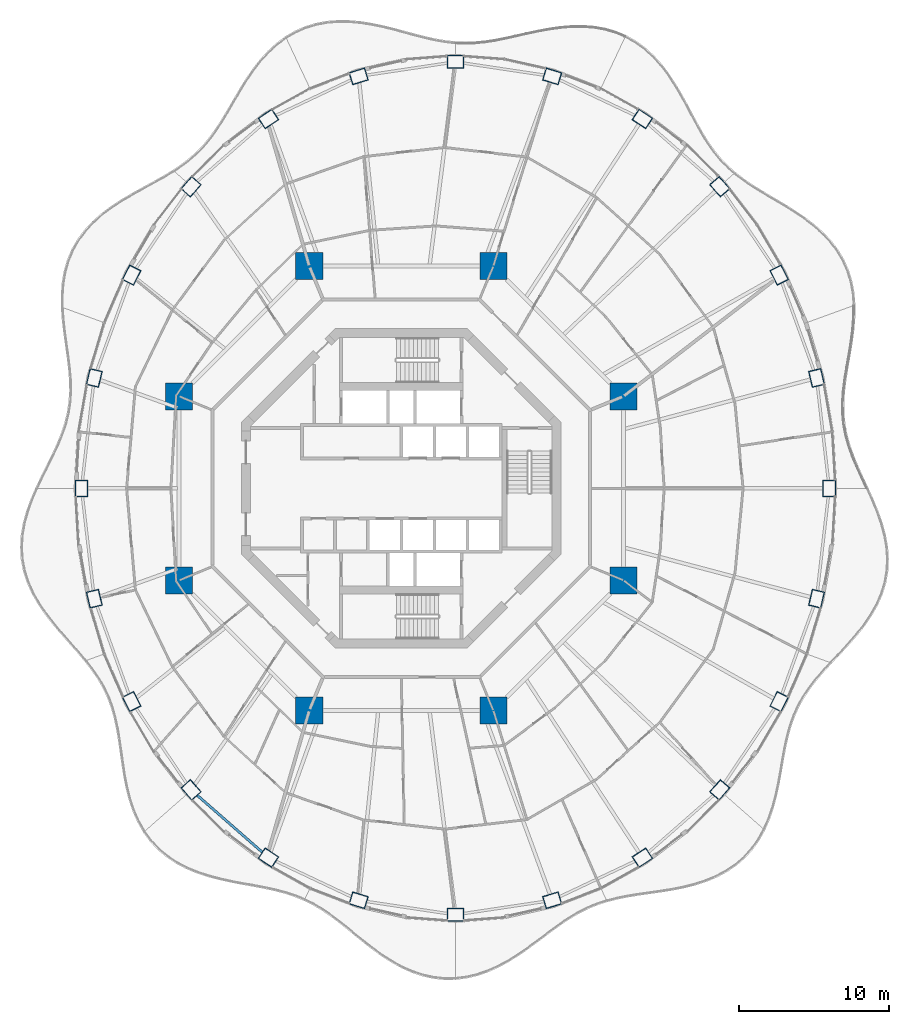
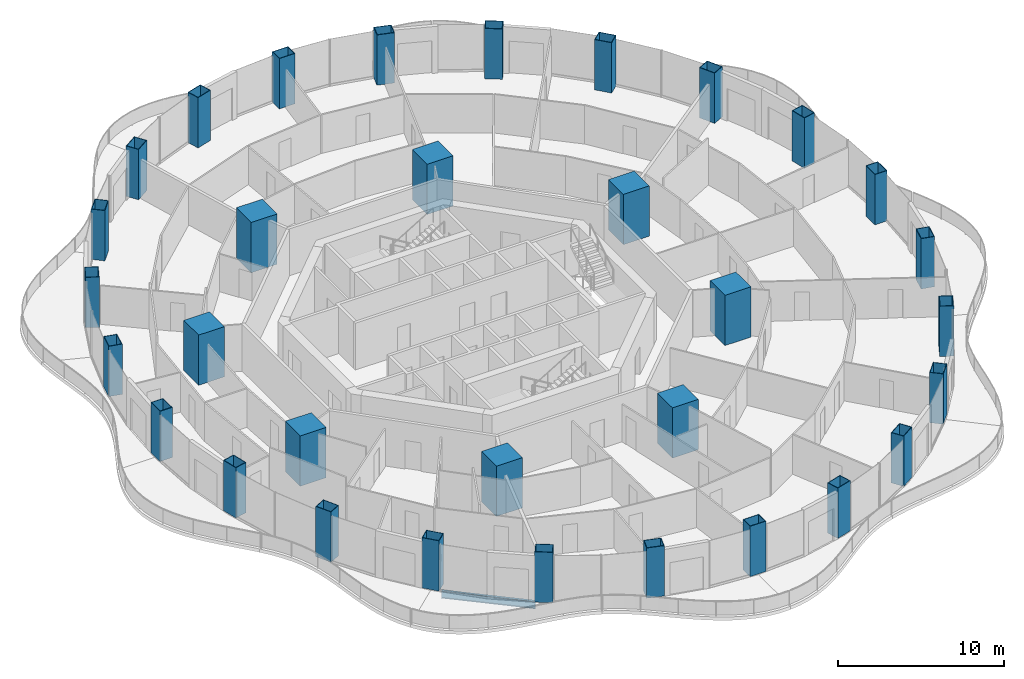
# One storey, part 1 of 19: 32 columns, 1 beam.
"""IFC4 building model written with IfcOpenShell, lengths in metres."""

from ifc_helpers import new_model, si_unit, direction, frame, origin, origin_2d, place, context, subcontext, project, spatial, rectangle, hollow_rectangle, i_section, extrude, material, material_profile, profile_set, type_object, element, save


model = new_model("IFC4")

# Units and contexts
model_context = context("Model", 3, precision=1e-05, world=origin(), true_north=direction((0.0, 1.0)))
body_context = subcontext(model_context, "Body", "Model", "MODEL_VIEW")
ifc_project = project(units=[si_unit("LENGTHUNIT", "METRE"), si_unit("AREAUNIT", "SQUARE_METRE"), si_unit("VOLUMEUNIT", "CUBIC_METRE"), si_unit("PLANEANGLEUNIT", "RADIAN"), si_unit("MASSUNIT", "GRAM", prefix="KILO")], contexts=[model_context])

# Site, building, storey
site_placement = place(None, origin())
site = spatial("IfcSite", under=ifc_project, at=site_placement, CompositionType="ELEMENT")
building_placement = place(site_placement, origin())
building = spatial("IfcBuilding", under=site, at=building_placement, Name="Nagisa Residences", CompositionType="ELEMENT")
storey_placement = place(building_placement, frame((0.0, 0.0, 199.199951171875)))
storey = spatial("IfcBuildingStorey", under=building, at=storey_placement, Name="L50", CompositionType="ELEMENT", Elevation=199.199951171875)

# Columns
ifc_material_1 = material(Name="Concrete C80", Category="concrete")
ifc_material_profile_1 = material_profile(ifc_material_1, rectangle(XDim=1.800048828125, YDim=1.800048828125, at=origin_2d()), Name="C80 1800x1800")
ifc_profile_set_1 = profile_set([ifc_material_profile_1], Name="Concrete C80")
column_type_1 = type_object("IfcColumnType", Name="Inner megacolumn C80 1800x1800", PredefinedType="COLUMN", material=ifc_profile_set_1)
for number, where, z_axis, x_axis, name in (
    (1, (14.781982421875, 6.123046875, 0.0), (0.0, 0.0, 1.0), (1.0, 0.0, 0.0), "col:L50:i1"),
    (2, (6.123046875, 14.781982421875, 0.0), (0.0, 0.0, 1.0), (1.0, 0.0, 0.0), "col:L50:i2"),
    (3, (-6.123046875, 14.781982421875, 0.0), (0.0, 0.0, 1.0), (1.0, 0.0, 0.0), "col:L50:i3"),
    (4, (-14.781982421875, 6.123046875, 0.0), (0.0, 0.0, 1.0), (1.0, 0.0, 0.0), "col:L50:i4"),
    (5, (-14.781982421875, -6.123046875, 0.0), (0.0, 0.0, 1.0), (1.0, 0.0, 0.0), "col:L50:i5"),
    (6, (-6.123046875, -14.781982421875, 0.0), (0.0, 0.0, 1.0), (1.0, 0.0, 0.0), "col:L50:i6"),
    (7, (6.123046875, -14.781982421875, 0.0), (0.0, 0.0, 1.0), (1.0, 0.0, 0.0), "col:L50:i7"),
    (8, (14.781982421875, -6.123046875, 0.0), (0.0, 0.0, 1.0), (1.0, 0.0, 0.0), "col:L50:i8"),
):
    element("IfcColumn", number, at=place(storey_placement, frame(where, z_axis=z_axis, x_axis=x_axis)), inside=storey, type_object=column_type_1, Name=name, PredefinedType="COLUMN", context=body_context, shape_type="SweptSolid", body=[
        extrude(rectangle(XDim=1.800048828125, YDim=1.800048828125, at=origin_2d()), origin(), (0.0, 0.0, 1.0), 3.699951171875),
    ])
ifc_material_2 = material(Name="Steel ASTM A572 Gr 50", Category="steel")
ifc_material_profile_2 = material_profile(ifc_material_2, hollow_rectangle(XDim=1.10009765625, YDim=0.85009765625, WallThickness=0.035888671875, at=origin_2d()), Name="BX 1100x850x36")
ifc_profile_set_2 = profile_set([ifc_material_profile_2], Name="Steel ASTM A572 Gr 50")
column_type_2 = type_object("IfcColumnType", Name="Perimeter column BX 1100x850x36", PredefinedType="COLUMN", material=ifc_profile_set_2)
for number, where, z_axis, x_axis, name in (
    (9, (28.47509765625, 0.0, 0.0), (0.0, 0.0, 1.0), (0.0, 1.0, 0.0), "col:L50:p00"),
    (10, (27.62744140625, 7.343994140625, 0.0), (0.0, 0.0, 1.0), (-0.229202013103, 0.973378876486, 0.0), "col:L50:p01"),
    (11, (25.142333984375, 14.1875, 0.0), (0.0, 0.0, 1.0), (-0.452462697578, 0.891783329795, 0.0), "col:L50:p02"),
    (12, (21.189208984375, 20.064208984375, 0.0), (0.0, 0.0, 1.0), (-0.660114607735, 0.751164898445, 0.0), "col:L50:p03"),
    (13, (16.03759765625, 24.573486328125, 0.0), (0.0, 0.0, 1.0), (-0.835766105673, 0.54908561865, 0.0), "col:L50:p04"),
    (14, (10.0380859375, 27.408203125, 0.0), (0.0, 0.0, 1.0), (-0.956524583408, 0.291651712384, 0.0), "col:L50:p05"),
    (15, (3.60009765625, 28.375, 0.0), (0.0, 0.0, 1.0), (-1.0, 0.0, 0.0), "col:L50:p06"),
    (16, (-2.838134765625, 27.408203125, 0.0), (0.0, 0.0, 1.0), (-0.956524583408, -0.291651712384, 0.0), "col:L50:p07"),
    (17, (-8.83740234375, 24.573486328125, 0.0), (0.0, 0.0, 1.0), (-0.835766105673, -0.54908561865, 0.0), "col:L50:p08"),
    (18, (-13.9892578125, 20.064208984375, 0.0), (0.0, 0.0, 1.0), (-0.660114607735, -0.751164898445, 0.0), "col:L50:p09"),
    (19, (-17.9423828125, 14.1875, 0.0), (0.0, 0.0, 1.0), (-0.452462697578, -0.891783329795, 0.0), "col:L50:p10"),
    (20, (-20.427490234375, 7.343994140625, 0.0), (0.0, 0.0, 1.0), (-0.229202013103, -0.973378876486, 0.0), "col:L50:p11"),
    (21, (-21.27490234375, 0.0, 0.0), (0.0, 0.0, 1.0), (0.0, -1.0, 0.0), "col:L50:p12"),
    (22, (-20.427490234375, -7.343994140625, 0.0), (0.0, 0.0, 1.0), (0.229202013103, -0.973378876486, 0.0), "col:L50:p13"),
    (23, (-17.9423828125, -14.1875, 0.0), (0.0, 0.0, 1.0), (0.452462697578, -0.891783329795, 0.0), "col:L50:p14"),
    (24, (-13.9892578125, -20.064208984375, 0.0), (0.0, 0.0, 1.0), (0.660114607735, -0.751164898445, 0.0), "col:L50:p15"),
    (25, (-8.83740234375, -24.573486328125, 0.0), (0.0, 0.0, 1.0), (0.835766105673, -0.54908561865, 0.0), "col:L50:p16"),
    (26, (-2.838134765625, -27.408203125, 0.0), (0.0, 0.0, 1.0), (0.956524583408, -0.291651712384, 0.0), "col:L50:p17"),
    (27, (3.60009765625, -28.375, 0.0), (0.0, 0.0, 1.0), (1.0, 0.0, 0.0), "col:L50:p18"),
    (28, (10.0380859375, -27.408203125, 0.0), (0.0, 0.0, 1.0), (0.956524583408, 0.291651712384, 0.0), "col:L50:p19"),
    (29, (16.03759765625, -24.573486328125, 0.0), (0.0, 0.0, 1.0), (0.835766105673, 0.54908561865, 0.0), "col:L50:p20"),
    (30, (21.189208984375, -20.064208984375, 0.0), (0.0, 0.0, 1.0), (0.660114607735, 0.751164898445, 0.0), "col:L50:p21"),
    (31, (25.142333984375, -14.1875, 0.0), (0.0, 0.0, 1.0), (0.452462697578, 0.891783329795, 0.0), "col:L50:p22"),
    (32, (27.62744140625, -7.343994140625, 0.0), (0.0, 0.0, 1.0), (0.229202013103, 0.973378876486, 0.0), "col:L50:p23"),
):
    element("IfcColumn", number, at=place(storey_placement, frame(where, z_axis=z_axis, x_axis=x_axis)), inside=storey, type_object=column_type_2, Name=name, PredefinedType="COLUMN", context=body_context, shape_type="SweptSolid", body=[
        extrude(hollow_rectangle(XDim=1.10009765625, YDim=0.85009765625, WallThickness=0.035888671875, at=origin_2d()), origin(), (0.0, 0.0, 1.0), 3.699951171875),
    ])

# Beam
ifc_material_3 = material(Name="Steel ASTM A572 Gr 50", Category="steel")
ifc_material_profile_3 = material_profile(ifc_material_3, i_section(OverallWidth=0.166015625, OverallDepth=0.534912109375, WebThickness=0.01025390625, FlangeThickness=0.0166015625, at=origin_2d()), Name="W530x85")
ifc_profile_set_3 = profile_set([ifc_material_profile_3], Name="Steel ASTM A572 Gr 50")
beam_type = type_object("IfcBeamType", Name="Perimeter ring beam W530x85", PredefinedType="BEAM", material=ifc_profile_set_3)
beam_placement = place(storey_placement, frame((-13.5869140625, -20.416259765625, -0.52734375), z_axis=(0.752461486776, -0.658636250838, 0.0), x_axis=(0.658636250838, 0.752461486776, 0.0)))
element("IfcBeam", 33, at=beam_placement, inside=storey, type_object=beam_type, Name="beam:L50:pb16", PredefinedType="BEAM", context=body_context, shape_type="SweptSolid", body=[
    extrude(i_section(OverallWidth=0.166015625, OverallDepth=0.534912109375, WebThickness=0.01025390625, FlangeThickness=0.0166015625, at=origin_2d()), origin(), (0.0, 0.0, 1.0), 5.776611328125),
])

save(model, "model.ifc")
